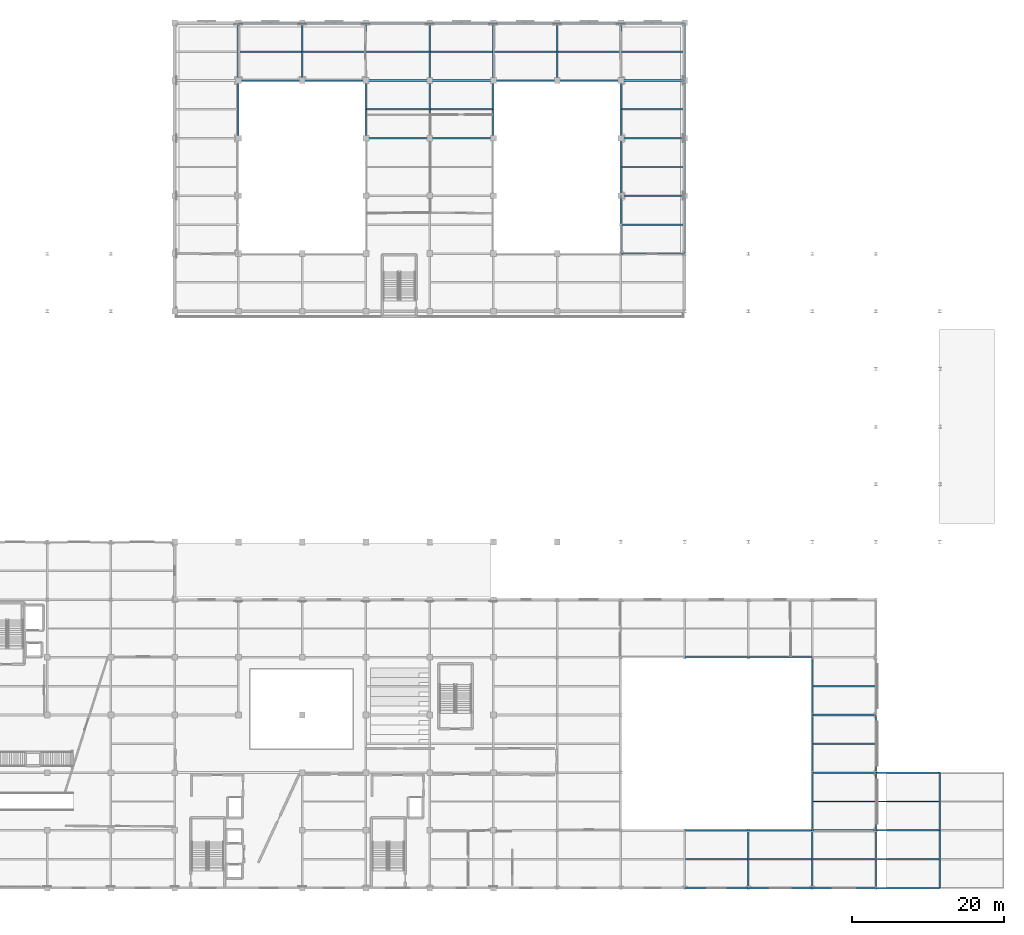
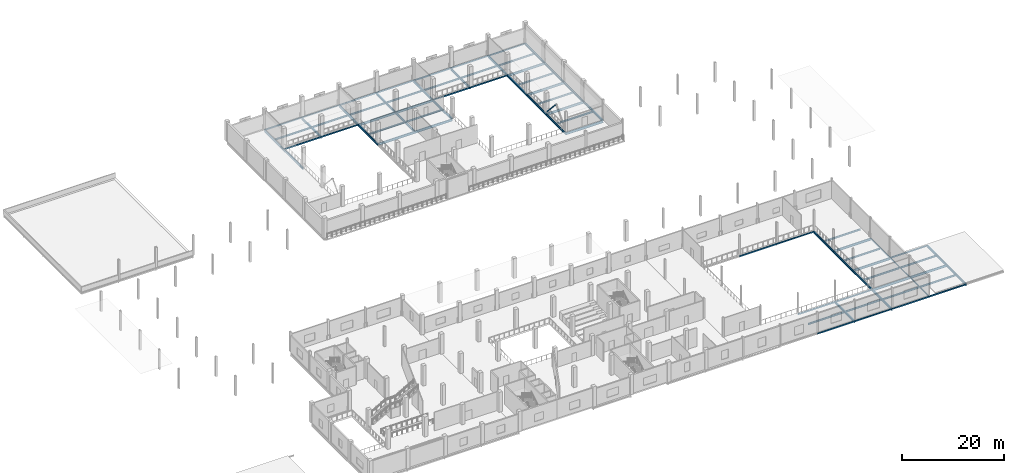
# One storey, part 19 of 51: 80 beams, 1 member.
"""IFC4 building model written with IfcOpenShell, lengths in metres."""

from ifc_helpers import new_model, si_unit, direction, frame, origin, origin_2d, place, context, subcontext, project, spatial, hollow_rectangle, i_section, extrude, material, material_profile, profile_set, type_object, element, save


model = new_model("IFC4")

# Units and contexts
model_context = context("Model", 3, precision=1e-05, world=origin(), true_north=direction((0.0, 1.0)))
body_context = subcontext(model_context, "Body", "Model", "MODEL_VIEW")
ifc_project = project(units=[si_unit("LENGTHUNIT", "METRE"), si_unit("AREAUNIT", "SQUARE_METRE"), si_unit("VOLUMEUNIT", "CUBIC_METRE"), si_unit("PLANEANGLEUNIT", "RADIAN"), si_unit("MASSUNIT", "GRAM", prefix="KILO")], contexts=[model_context])

# Site, building, storey
site_placement = place(None, origin())
site = spatial("IfcSite", under=ifc_project, at=site_placement, CompositionType="ELEMENT")
building_placement = place(site_placement, origin())
building = spatial("IfcBuilding", under=site, at=building_placement, Name="Zuvorla Pavilion Media Centre", CompositionType="ELEMENT")
storey_placement = place(building_placement, frame((0.0, 0.0, 4.800048828125)))
storey = spatial("IfcBuildingStorey", under=building, at=storey_placement, Name="L01", CompositionType="ELEMENT", Elevation=4.800048828125)

# Beams
ifc_material = material(Name="Steel S355", Category="steel")
ifc_material_profile_1 = material_profile(ifc_material, hollow_rectangle(XDim=0.14990234375, YDim=0.25, WallThickness=0.010009765625, at=origin_2d()), Name="RHS 250x150x10")
ifc_profile_set_1 = profile_set([ifc_material_profile_1], Name="Steel S355")
beam_type_1 = type_object("IfcBeamType", Name="BM-SP-RHS250", PredefinedType="SPANDREL", material=ifc_profile_set_1)
beam_1_placement = place(storey_placement, frame((159.199951171875, 6.0, -0.4130859375), z_axis=(0.0, 1.0, 0.0), x_axis=(-1.0, 0.0, 0.0)))
element("IfcBeam", 1, at=beam_1_placement, inside=storey, type_object=beam_type_1, Name="L01 spandrel SP02 692", PredefinedType="SPANDREL", context=body_context, shape_type="SweptSolid", body=[
    extrude(hollow_rectangle(XDim=0.14990234375, YDim=0.25, WallThickness=0.010009765625, at=origin_2d()), origin(), (0.0, 0.0, 1.0), 7.60009765625),
])
beam_2_placement = place(storey_placement, frame((159.199951171875, 13.60009765625, -0.4130859375), z_axis=(0.0, 1.0, 0.0), x_axis=(-1.0, 0.0, 0.0)))
element("IfcBeam", 2, at=beam_2_placement, inside=storey, type_object=beam_type_1, Name="L01 spandrel SP02 693", PredefinedType="SPANDREL", context=body_context, shape_type="SweptSolid", body=[
    extrude(hollow_rectangle(XDim=0.14990234375, YDim=0.25, WallThickness=0.010009765625, at=origin_2d()), origin(), (0.0, 0.0, 1.0), 7.599853515625),
])
beam_3_placement = place(storey_placement, frame((159.199951171875, 21.199951171875, -0.4130859375), z_axis=(0.0, 1.0, 0.0), x_axis=(-1.0, 0.0, 0.0)))
element("IfcBeam", 3, at=beam_3_placement, inside=storey, type_object=beam_type_1, Name="L01 spandrel SP02 694", PredefinedType="SPANDREL", context=body_context, shape_type="SweptSolid", body=[
    extrude(hollow_rectangle(XDim=0.14990234375, YDim=0.25, WallThickness=0.010009765625, at=origin_2d()), origin(), (0.0, 0.0, 1.0), 7.60009765625),
])
ifc_material_profile_2 = material_profile(ifc_material, hollow_rectangle(XDim=0.199951171875, YDim=0.300048828125, WallThickness=0.012451171875, at=origin_2d()), Name="RHS 300x200x12.5")
ifc_profile_set_2 = profile_set([ifc_material_profile_2], Name="Steel S355")
beam_type_2 = type_object("IfcBeamType", Name="BM-SP-RHS300", PredefinedType="SPANDREL", material=ifc_profile_set_2)
beam_4_placement = place(storey_placement, frame((134.0, 6.0, -0.43798828125), z_axis=(1.0, 0.0, 0.0), x_axis=(0.0, 1.0, 0.0)))
element("IfcBeam", 4, at=beam_4_placement, inside=storey, type_object=beam_type_2, Name="L01 spandrel SP01 442", PredefinedType="SPANDREL", context=body_context, shape_type="SweptSolid", body=[
    extrude(hollow_rectangle(XDim=0.199951171875, YDim=0.300048828125, WallThickness=0.012451171875, at=origin_2d()), origin(), (0.0, 0.0, 1.0), 8.39990234375),
])
beam_5_placement = place(storey_placement, frame((142.39990234375, 6.0, -0.43798828125), z_axis=(1.0, 0.0, 0.0), x_axis=(0.0, 1.0, 0.0)))
element("IfcBeam", 5, at=beam_5_placement, inside=storey, type_object=beam_type_2, Name="L01 spandrel SP01 443", PredefinedType="SPANDREL", context=body_context, shape_type="SweptSolid", body=[
    extrude(hollow_rectangle(XDim=0.199951171875, YDim=0.300048828125, WallThickness=0.012451171875, at=origin_2d()), origin(), (0.0, 0.0, 1.0), 8.400146484375),
])
beam_6_placement = place(storey_placement, frame((150.800048828125, 6.0, -0.43798828125), z_axis=(1.0, 0.0, 0.0), x_axis=(0.0, 1.0, 0.0)))
element("IfcBeam", 6, at=beam_6_placement, inside=storey, type_object=beam_type_2, Name="L01 spandrel SP01 444", PredefinedType="SPANDREL", context=body_context, shape_type="SweptSolid", body=[
    extrude(hollow_rectangle(XDim=0.199951171875, YDim=0.300048828125, WallThickness=0.012451171875, at=origin_2d()), origin(), (0.0, 0.0, 1.0), 8.39990234375),
])
beam_7_placement = place(storey_placement, frame((159.199951171875, 6.0, -0.43798828125), z_axis=(1.0, 0.0, 0.0), x_axis=(0.0, 1.0, 0.0)))
element("IfcBeam", 7, at=beam_7_placement, inside=storey, type_object=beam_type_2, Name="L01 spandrel SP01 445", PredefinedType="SPANDREL", context=body_context, shape_type="SweptSolid", body=[
    extrude(hollow_rectangle(XDim=0.199951171875, YDim=0.300048828125, WallThickness=0.012451171875, at=origin_2d()), origin(), (0.0, 0.0, 1.0), 8.400146484375),
])
beam_8_placement = place(storey_placement, frame((134.0, 13.60009765625, -0.43798828125), z_axis=(1.0, 0.0, 0.0), x_axis=(0.0, 1.0, 0.0)))
element("IfcBeam", 8, at=beam_8_placement, inside=storey, type_object=beam_type_2, Name="L01 spandrel SP01 458", PredefinedType="SPANDREL", context=body_context, shape_type="SweptSolid", body=[
    extrude(hollow_rectangle(XDim=0.199951171875, YDim=0.300048828125, WallThickness=0.012451171875, at=origin_2d()), origin(), (0.0, 0.0, 1.0), 8.39990234375),
])
for number, where, z_axis, x_axis, name in (
    (9, (142.39990234375, 13.60009765625, -0.43798828125), (1.0, 0.0, 0.0), (0.0, 1.0, 0.0), "L01 spandrel SP01 459"),
    (10, (159.199951171875, 21.199951171875, -0.43798828125), (1.0, 0.0, 0.0), (0.0, 1.0, 0.0), "L01 spandrel SP01 475"),
):
    element("IfcBeam", number, at=place(storey_placement, frame(where, z_axis=z_axis, x_axis=x_axis)), inside=storey, type_object=beam_type_2, Name=name, PredefinedType="SPANDREL", context=body_context, shape_type="SweptSolid", body=[
        extrude(hollow_rectangle(XDim=0.199951171875, YDim=0.300048828125, WallThickness=0.012451171875, at=origin_2d()), origin(), (0.0, 0.0, 1.0), 8.400146484375),
    ])
beam_9_placement = place(storey_placement, frame((134.0, 36.39990234375, -0.43798828125), z_axis=(1.0, 0.0, 0.0), x_axis=(0.0, 1.0, 0.0)))
element("IfcBeam", 11, at=beam_9_placement, inside=storey, type_object=beam_type_2, Name="L01 spandrel SP01 496", PredefinedType="SPANDREL", context=body_context, shape_type="SweptSolid", body=[
    extrude(hollow_rectangle(XDim=0.199951171875, YDim=0.300048828125, WallThickness=0.012451171875, at=origin_2d()), origin(), (0.0, 0.0, 1.0), 8.39990234375),
])
for number, where, z_axis, x_axis, name in (
    (12, (142.39990234375, 36.39990234375, -0.43798828125), (1.0, 0.0, 0.0), (0.0, 1.0, 0.0), "L01 spandrel SP01 497"),
    (13, (75.199951171875, 112.39990234375, -0.43798828125), (1.0, 0.0, 0.0), (0.0, 1.0, 0.0), "L01 spandrel SP01 551"),
):
    element("IfcBeam", number, at=place(storey_placement, frame(where, z_axis=z_axis, x_axis=x_axis)), inside=storey, type_object=beam_type_2, Name=name, PredefinedType="SPANDREL", context=body_context, shape_type="SweptSolid", body=[
        extrude(hollow_rectangle(XDim=0.199951171875, YDim=0.300048828125, WallThickness=0.012451171875, at=origin_2d()), origin(), (0.0, 0.0, 1.0), 8.400146484375),
    ])
for number, where, z_axis, x_axis, name in (
    (14, (83.60009765625, 112.39990234375, -0.43798828125), (1.0, 0.0, 0.0), (0.0, 1.0, 0.0), "L01 spandrel SP01 552"),
    (15, (108.800048828125, 112.39990234375, -0.43798828125), (1.0, 0.0, 0.0), (0.0, 1.0, 0.0), "L01 spandrel SP01 555"),
):
    element("IfcBeam", number, at=place(storey_placement, frame(where, z_axis=z_axis, x_axis=x_axis)), inside=storey, type_object=beam_type_2, Name=name, PredefinedType="SPANDREL", context=body_context, shape_type="SweptSolid", body=[
        extrude(hollow_rectangle(XDim=0.199951171875, YDim=0.300048828125, WallThickness=0.012451171875, at=origin_2d()), origin(), (0.0, 0.0, 1.0), 8.39990234375),
    ])
for number, where, z_axis, x_axis, name in (
    (16, (117.199951171875, 112.39990234375, -0.43798828125), (1.0, 0.0, 0.0), (0.0, 1.0, 0.0), "L01 spandrel SP01 556"),
    (17, (75.199951171875, 120.0, -0.43798828125), (1.0, 0.0, 0.0), (0.0, 1.0, 0.0), "L01 spandrel SP01 562"),
):
    element("IfcBeam", number, at=place(storey_placement, frame(where, z_axis=z_axis, x_axis=x_axis)), inside=storey, type_object=beam_type_2, Name=name, PredefinedType="SPANDREL", context=body_context, shape_type="SweptSolid", body=[
        extrude(hollow_rectangle(XDim=0.199951171875, YDim=0.300048828125, WallThickness=0.012451171875, at=origin_2d()), origin(), (0.0, 0.0, 1.0), 8.400146484375),
    ])
for number, where, z_axis, x_axis, name in (
    (18, (83.60009765625, 120.0, -0.43798828125), (1.0, 0.0, 0.0), (0.0, 1.0, 0.0), "L01 spandrel SP01 563"),
    (19, (92.0, 120.0, -0.43798828125), (1.0, 0.0, 0.0), (0.0, 1.0, 0.0), "L01 spandrel SP01 564"),
):
    element("IfcBeam", number, at=place(storey_placement, frame(where, z_axis=z_axis, x_axis=x_axis)), inside=storey, type_object=beam_type_2, Name=name, PredefinedType="SPANDREL", context=body_context, shape_type="SweptSolid", body=[
        extrude(hollow_rectangle(XDim=0.199951171875, YDim=0.300048828125, WallThickness=0.012451171875, at=origin_2d()), origin(), (0.0, 0.0, 1.0), 8.39990234375),
    ])
beam_10_placement = place(storey_placement, frame((100.39990234375, 120.0, -0.43798828125), z_axis=(1.0, 0.0, 0.0), x_axis=(0.0, 1.0, 0.0)))
element("IfcBeam", 20, at=beam_10_placement, inside=storey, type_object=beam_type_2, Name="L01 spandrel SP01 565", PredefinedType="SPANDREL", context=body_context, shape_type="SweptSolid", body=[
    extrude(hollow_rectangle(XDim=0.199951171875, YDim=0.300048828125, WallThickness=0.012451171875, at=origin_2d()), origin(), (0.0, 0.0, 1.0), 8.400146484375),
])
beam_11_placement = place(storey_placement, frame((108.800048828125, 120.0, -0.43798828125), z_axis=(1.0, 0.0, 0.0), x_axis=(0.0, 1.0, 0.0)))
element("IfcBeam", 21, at=beam_11_placement, inside=storey, type_object=beam_type_2, Name="L01 spandrel SP01 566", PredefinedType="SPANDREL", context=body_context, shape_type="SweptSolid", body=[
    extrude(hollow_rectangle(XDim=0.199951171875, YDim=0.300048828125, WallThickness=0.012451171875, at=origin_2d()), origin(), (0.0, 0.0, 1.0), 8.39990234375),
])
beam_12_placement = place(storey_placement, frame((117.199951171875, 120.0, -0.43798828125), z_axis=(1.0, 0.0, 0.0), x_axis=(0.0, 1.0, 0.0)))
element("IfcBeam", 22, at=beam_12_placement, inside=storey, type_object=beam_type_2, Name="L01 spandrel SP01 567", PredefinedType="SPANDREL", context=body_context, shape_type="SweptSolid", body=[
    extrude(hollow_rectangle(XDim=0.199951171875, YDim=0.300048828125, WallThickness=0.012451171875, at=origin_2d()), origin(), (0.0, 0.0, 1.0), 8.400146484375),
])
beam_13_placement = place(storey_placement, frame((125.60009765625, 120.0, -0.43798828125), z_axis=(1.0, 0.0, 0.0), x_axis=(0.0, 1.0, 0.0)))
element("IfcBeam", 23, at=beam_13_placement, inside=storey, type_object=beam_type_2, Name="L01 spandrel SP01 568", PredefinedType="SPANDREL", context=body_context, shape_type="SweptSolid", body=[
    extrude(hollow_rectangle(XDim=0.199951171875, YDim=0.300048828125, WallThickness=0.012451171875, at=origin_2d()), origin(), (0.0, 0.0, 1.0), 8.39990234375),
])
ifc_material_profile_3 = material_profile(ifc_material, i_section(OverallWidth=0.1787109375, OverallDepth=0.409423828125, WebThickness=0.0087890625, FlangeThickness=0.014404296875, FilletRadius=0.01025390625, at=origin_2d()), Name="UB 406x178x67")
ifc_profile_set_3 = profile_set([ifc_material_profile_3], Name="Steel S355")
beam_type_3 = type_object("IfcBeamType", Name="BM-UB406", PredefinedType="JOIST", material=ifc_profile_set_3)
for number, where, z_axis, x_axis, name in (
    (24, (75.300048828125, 116.199951171875, -0.49267578125), (1.0, 0.0, 0.0), (0.0, 1.0, 0.0), "L01 joist J02 734"),
    (25, (83.699951171875, 116.199951171875, -0.49267578125), (1.0, 0.0, 0.0), (0.0, 1.0, 0.0), "L01 joist J02 739"),
    (26, (92.10009765625, 108.60009765625, -0.49267578125), (1.0, 0.0, 0.0), (0.0, 1.0, 0.0), "L01 joist J02 745"),
    (27, (92.10009765625, 116.199951171875, -0.49267578125), (1.0, 0.0, 0.0), (0.0, 1.0, 0.0), "L01 joist J02 746"),
    (28, (100.5, 108.60009765625, -0.49267578125), (1.0, 0.0, 0.0), (0.0, 1.0, 0.0), "L01 joist J02 754"),
    (29, (100.5, 116.199951171875, -0.49267578125), (1.0, 0.0, 0.0), (0.0, 1.0, 0.0), "L01 joist J02 755"),
):
    element("IfcBeam", number, at=place(storey_placement, frame(where, z_axis=z_axis, x_axis=x_axis)), inside=storey, type_object=beam_type_3, Name=name, PredefinedType="JOIST", context=body_context, shape_type="SweptSolid", body=[
        extrude(i_section(OverallWidth=0.1787109375, OverallDepth=0.409423828125, WebThickness=0.0087890625, FlangeThickness=0.014404296875, FilletRadius=0.01025390625, at=origin_2d()), origin(), (0.0, 0.0, 1.0), 8.199951171875),
    ])
beam_14_placement = place(storey_placement, frame((108.89990234375, 116.199951171875, -0.49267578125), z_axis=(1.0, 0.0, 0.0), x_axis=(0.0, 1.0, 0.0)))
element("IfcBeam", 30, at=beam_14_placement, inside=storey, type_object=beam_type_3, Name="L01 joist J02 762", PredefinedType="JOIST", context=body_context, shape_type="SweptSolid", body=[
    extrude(i_section(OverallWidth=0.1787109375, OverallDepth=0.409423828125, WebThickness=0.0087890625, FlangeThickness=0.014404296875, FilletRadius=0.01025390625, at=origin_2d()), origin(), (0.0, 0.0, 1.0), 8.2001953125),
])
for number, where, z_axis, x_axis, name in (
    (31, (117.300048828125, 116.199951171875, -0.49267578125), (1.0, 0.0, 0.0), (0.0, 1.0, 0.0), "L01 joist J02 769"),
    (32, (125.699951171875, 93.39990234375, -0.49267578125), (1.0, 0.0, 0.0), (0.0, 1.0, 0.0), "L01 joist J02 773"),
    (33, (125.699951171875, 101.0, -0.49267578125), (1.0, 0.0, 0.0), (0.0, 1.0, 0.0), "L01 joist J02 774"),
    (34, (125.699951171875, 108.60009765625, -0.49267578125), (1.0, 0.0, 0.0), (0.0, 1.0, 0.0), "L01 joist J02 775"),
    (35, (125.699951171875, 116.199951171875, -0.49267578125), (1.0, 0.0, 0.0), (0.0, 1.0, 0.0), "L01 joist J02 776"),
    (36, (134.10009765625, 9.800048828125, -0.49267578125), (1.0, 0.0, 0.0), (0.0, 1.0, 0.0), "L01 joist J02 777"),
    (37, (142.5, 9.800048828125, -0.49267578125), (1.0, 0.0, 0.0), (0.0, 1.0, 0.0), "L01 joist J02 779"),
):
    element("IfcBeam", number, at=place(storey_placement, frame(where, z_axis=z_axis, x_axis=x_axis)), inside=storey, type_object=beam_type_3, Name=name, PredefinedType="JOIST", context=body_context, shape_type="SweptSolid", body=[
        extrude(i_section(OverallWidth=0.1787109375, OverallDepth=0.409423828125, WebThickness=0.0087890625, FlangeThickness=0.014404296875, FilletRadius=0.01025390625, at=origin_2d()), origin(), (0.0, 0.0, 1.0), 8.199951171875),
    ])
for number, where, z_axis, x_axis, name in (
    (38, (150.89990234375, 9.800048828125, -0.49267578125), (1.0, 0.0, 0.0), (0.0, 1.0, 0.0), "L01 joist J02 781"),
    (39, (150.89990234375, 17.39990234375, -0.49267578125), (1.0, 0.0, 0.0), (0.0, 1.0, 0.0), "L01 joist J02 782"),
    (40, (150.89990234375, 25.0, -0.49267578125), (1.0, 0.0, 0.0), (0.0, 1.0, 0.0), "L01 joist J02 783"),
    (41, (150.89990234375, 32.60009765625, -0.49267578125), (1.0, 0.0, 0.0), (0.0, 1.0, 0.0), "L01 joist J02 784"),
):
    element("IfcBeam", number, at=place(storey_placement, frame(where, z_axis=z_axis, x_axis=x_axis)), inside=storey, type_object=beam_type_3, Name=name, PredefinedType="JOIST", context=body_context, shape_type="SweptSolid", body=[
        extrude(i_section(OverallWidth=0.1787109375, OverallDepth=0.409423828125, WebThickness=0.0087890625, FlangeThickness=0.014404296875, FilletRadius=0.01025390625, at=origin_2d()), origin(), (0.0, 0.0, 1.0), 8.22021484375),
    ])
for number, where, z_axis, x_axis, name in (
    (42, (159.280029296875, 9.800048828125, -0.49267578125), (1.0, 0.0, 0.0), (0.0, 1.0, 0.0), "L01 joist J02 786"),
    (43, (159.280029296875, 17.39990234375, -0.49267578125), (1.0, 0.0, 0.0), (0.0, 1.0, 0.0), "L01 joist J02 787"),
):
    element("IfcBeam", number, at=place(storey_placement, frame(where, z_axis=z_axis, x_axis=x_axis)), inside=storey, type_object=beam_type_3, Name=name, PredefinedType="JOIST", context=body_context, shape_type="SweptSolid", body=[
        extrude(i_section(OverallWidth=0.1787109375, OverallDepth=0.409423828125, WebThickness=0.0087890625, FlangeThickness=0.014404296875, FilletRadius=0.01025390625, at=origin_2d()), origin(), (0.0, 0.0, 1.0), 8.219970703125),
    ])
ifc_material_profile_4 = material_profile(ifc_material, i_section(OverallWidth=0.2099609375, OverallDepth=0.53662109375, WebThickness=0.0107421875, FlangeThickness=0.017333984375, FilletRadius=0.0126953125, at=origin_2d()), Name="UB 533x210x101")
ifc_profile_set_4 = profile_set([ifc_material_profile_4], Name="Steel S355")
beam_type_4 = type_object("IfcBeamType", Name="BM-UB533", PredefinedType="BEAM", material=ifc_profile_set_4)
beam_15_placement = place(storey_placement, frame((150.800048828125, 13.60009765625, -0.556396484375), z_axis=(1.0, 0.0, 0.0), x_axis=(0.0, 1.0, 0.0)))
element("IfcBeam", 44, at=beam_15_placement, inside=storey, type_object=beam_type_4, Name="L01 beam B08 460", PredefinedType="BEAM", context=body_context, shape_type="SweptSolid", body=[
    extrude(i_section(OverallWidth=0.2099609375, OverallDepth=0.53662109375, WebThickness=0.0107421875, FlangeThickness=0.017333984375, FilletRadius=0.0126953125, at=origin_2d()), origin(), (0.0, 0.0, 1.0), 8.39990234375),
])
beam_16_placement = place(storey_placement, frame((159.199951171875, 13.60009765625, -0.556396484375), z_axis=(1.0, 0.0, 0.0), x_axis=(0.0, 1.0, 0.0)))
element("IfcBeam", 45, at=beam_16_placement, inside=storey, type_object=beam_type_4, Name="L01 beam B08 461", PredefinedType="BEAM", context=body_context, shape_type="SweptSolid", body=[
    extrude(i_section(OverallWidth=0.2099609375, OverallDepth=0.53662109375, WebThickness=0.0107421875, FlangeThickness=0.017333984375, FilletRadius=0.0126953125, at=origin_2d()), origin(), (0.0, 0.0, 1.0), 8.400146484375),
])
for number, where, z_axis, x_axis, name in (
    (46, (150.800048828125, 21.199951171875, -0.556396484375), (1.0, 0.0, 0.0), (0.0, 1.0, 0.0), "L01 beam B08 474"),
    (47, (150.800048828125, 28.800048828125, -0.556396484375), (1.0, 0.0, 0.0), (0.0, 1.0, 0.0), "L01 beam B08 485"),
    (48, (125.60009765625, 89.60009765625, -0.556396484375), (1.0, 0.0, 0.0), (0.0, 1.0, 0.0), "L01 beam B08 532"),
    (49, (125.60009765625, 97.199951171875, -0.556396484375), (1.0, 0.0, 0.0), (0.0, 1.0, 0.0), "L01 beam B08 539"),
    (50, (92.0, 104.800048828125, -0.556396484375), (1.0, 0.0, 0.0), (0.0, 1.0, 0.0), "L01 beam B08 544"),
):
    element("IfcBeam", number, at=place(storey_placement, frame(where, z_axis=z_axis, x_axis=x_axis)), inside=storey, type_object=beam_type_4, Name=name, PredefinedType="BEAM", context=body_context, shape_type="SweptSolid", body=[
        extrude(i_section(OverallWidth=0.2099609375, OverallDepth=0.53662109375, WebThickness=0.0107421875, FlangeThickness=0.017333984375, FilletRadius=0.0126953125, at=origin_2d()), origin(), (0.0, 0.0, 1.0), 8.39990234375),
    ])
beam_17_placement = place(storey_placement, frame((100.39990234375, 104.800048828125, -0.556396484375), z_axis=(1.0, 0.0, 0.0), x_axis=(0.0, 1.0, 0.0)))
element("IfcBeam", 51, at=beam_17_placement, inside=storey, type_object=beam_type_4, Name="L01 beam B08 545", PredefinedType="BEAM", context=body_context, shape_type="SweptSolid", body=[
    extrude(i_section(OverallWidth=0.2099609375, OverallDepth=0.53662109375, WebThickness=0.0107421875, FlangeThickness=0.017333984375, FilletRadius=0.0126953125, at=origin_2d()), origin(), (0.0, 0.0, 1.0), 8.400146484375),
])
for number, where, z_axis, x_axis, name in (
    (52, (125.60009765625, 104.800048828125, -0.556396484375), (1.0, 0.0, 0.0), (0.0, 1.0, 0.0), "L01 beam B08 546"),
    (53, (92.0, 112.39990234375, -0.556396484375), (1.0, 0.0, 0.0), (0.0, 1.0, 0.0), "L01 beam B08 553"),
):
    element("IfcBeam", number, at=place(storey_placement, frame(where, z_axis=z_axis, x_axis=x_axis)), inside=storey, type_object=beam_type_4, Name=name, PredefinedType="BEAM", context=body_context, shape_type="SweptSolid", body=[
        extrude(i_section(OverallWidth=0.2099609375, OverallDepth=0.53662109375, WebThickness=0.0107421875, FlangeThickness=0.017333984375, FilletRadius=0.0126953125, at=origin_2d()), origin(), (0.0, 0.0, 1.0), 8.39990234375),
    ])
beam_18_placement = place(storey_placement, frame((100.39990234375, 112.39990234375, -0.556396484375), z_axis=(1.0, 0.0, 0.0), x_axis=(0.0, 1.0, 0.0)))
element("IfcBeam", 54, at=beam_18_placement, inside=storey, type_object=beam_type_4, Name="L01 beam B08 554", PredefinedType="BEAM", context=body_context, shape_type="SweptSolid", body=[
    extrude(i_section(OverallWidth=0.2099609375, OverallDepth=0.53662109375, WebThickness=0.0107421875, FlangeThickness=0.017333984375, FilletRadius=0.0126953125, at=origin_2d()), origin(), (0.0, 0.0, 1.0), 8.400146484375),
])
beam_19_placement = place(storey_placement, frame((125.60009765625, 112.39990234375, -0.556396484375), z_axis=(1.0, 0.0, 0.0), x_axis=(0.0, 1.0, 0.0)))
element("IfcBeam", 55, at=beam_19_placement, inside=storey, type_object=beam_type_4, Name="L01 beam B08 557", PredefinedType="BEAM", context=body_context, shape_type="SweptSolid", body=[
    extrude(i_section(OverallWidth=0.2099609375, OverallDepth=0.53662109375, WebThickness=0.0107421875, FlangeThickness=0.017333984375, FilletRadius=0.0126953125, at=origin_2d()), origin(), (0.0, 0.0, 1.0), 8.39990234375),
])
beam_20_placement = place(storey_placement, frame((75.199951171875, 104.800048828125, -0.556396484375), z_axis=(0.0, 1.0, 0.0), x_axis=(-1.0, 0.0, 0.0)))
element("IfcBeam", 56, at=beam_20_placement, inside=storey, type_object=beam_type_4, Name="L01 beam B08 624", PredefinedType="BEAM", context=body_context, shape_type="SweptSolid", body=[
    extrude(i_section(OverallWidth=0.2099609375, OverallDepth=0.53662109375, WebThickness=0.0107421875, FlangeThickness=0.017333984375, FilletRadius=0.0126953125, at=origin_2d()), origin(), (0.0, 0.0, 1.0), 7.599853515625),
])
for number, where, z_axis, x_axis, name in (
    (57, (75.199951171875, 112.39990234375, -0.556396484375), (0.0, 1.0, 0.0), (-1.0, 0.0, 0.0), "L01 beam B08 625"),
    (58, (83.60009765625, 112.39990234375, -0.556396484375), (0.0, 1.0, 0.0), (-1.0, 0.0, 0.0), "L01 beam B08 630"),
):
    element("IfcBeam", number, at=place(storey_placement, frame(where, z_axis=z_axis, x_axis=x_axis)), inside=storey, type_object=beam_type_4, Name=name, PredefinedType="BEAM", context=body_context, shape_type="SweptSolid", body=[
        extrude(i_section(OverallWidth=0.2099609375, OverallDepth=0.53662109375, WebThickness=0.0107421875, FlangeThickness=0.017333984375, FilletRadius=0.0126953125, at=origin_2d()), origin(), (0.0, 0.0, 1.0), 7.60009765625),
    ])
beam_21_placement = place(storey_placement, frame((92.0, 104.800048828125, -0.556396484375), z_axis=(0.0, 1.0, 0.0), x_axis=(-1.0, 0.0, 0.0)))
element("IfcBeam", 59, at=beam_21_placement, inside=storey, type_object=beam_type_4, Name="L01 beam B08 639", PredefinedType="BEAM", context=body_context, shape_type="SweptSolid", body=[
    extrude(i_section(OverallWidth=0.2099609375, OverallDepth=0.53662109375, WebThickness=0.0107421875, FlangeThickness=0.017333984375, FilletRadius=0.0126953125, at=origin_2d()), origin(), (0.0, 0.0, 1.0), 7.599853515625),
])
beam_22_placement = place(storey_placement, frame((92.0, 112.39990234375, -0.556396484375), z_axis=(0.0, 1.0, 0.0), x_axis=(-1.0, 0.0, 0.0)))
element("IfcBeam", 60, at=beam_22_placement, inside=storey, type_object=beam_type_4, Name="L01 beam B08 640", PredefinedType="BEAM", context=body_context, shape_type="SweptSolid", body=[
    extrude(i_section(OverallWidth=0.2099609375, OverallDepth=0.53662109375, WebThickness=0.0107421875, FlangeThickness=0.017333984375, FilletRadius=0.0126953125, at=origin_2d()), origin(), (0.0, 0.0, 1.0), 7.60009765625),
])
beam_23_placement = place(storey_placement, frame((100.39990234375, 104.800048828125, -0.556396484375), z_axis=(0.0, 1.0, 0.0), x_axis=(-1.0, 0.0, 0.0)))
element("IfcBeam", 61, at=beam_23_placement, inside=storey, type_object=beam_type_4, Name="L01 beam B08 649", PredefinedType="BEAM", context=body_context, shape_type="SweptSolid", body=[
    extrude(i_section(OverallWidth=0.2099609375, OverallDepth=0.53662109375, WebThickness=0.0107421875, FlangeThickness=0.017333984375, FilletRadius=0.0126953125, at=origin_2d()), origin(), (0.0, 0.0, 1.0), 7.599853515625),
])
beam_24_placement = place(storey_placement, frame((100.39990234375, 112.39990234375, -0.556396484375), z_axis=(0.0, 1.0, 0.0), x_axis=(-1.0, 0.0, 0.0)))
element("IfcBeam", 62, at=beam_24_placement, inside=storey, type_object=beam_type_4, Name="L01 beam B08 650", PredefinedType="BEAM", context=body_context, shape_type="SweptSolid", body=[
    extrude(i_section(OverallWidth=0.2099609375, OverallDepth=0.53662109375, WebThickness=0.0107421875, FlangeThickness=0.017333984375, FilletRadius=0.0126953125, at=origin_2d()), origin(), (0.0, 0.0, 1.0), 7.60009765625),
])
beam_25_placement = place(storey_placement, frame((108.800048828125, 104.800048828125, -0.556396484375), z_axis=(0.0, 1.0, 0.0), x_axis=(-1.0, 0.0, 0.0)))
element("IfcBeam", 63, at=beam_25_placement, inside=storey, type_object=beam_type_4, Name="L01 beam B08 659", PredefinedType="BEAM", context=body_context, shape_type="SweptSolid", body=[
    extrude(i_section(OverallWidth=0.2099609375, OverallDepth=0.53662109375, WebThickness=0.0107421875, FlangeThickness=0.017333984375, FilletRadius=0.0126953125, at=origin_2d()), origin(), (0.0, 0.0, 1.0), 7.599853515625),
])
for number, where, z_axis, x_axis, name in (
    (64, (108.800048828125, 112.39990234375, -0.556396484375), (0.0, 1.0, 0.0), (-1.0, 0.0, 0.0), "L01 beam B08 660"),
    (65, (117.199951171875, 112.39990234375, -0.556396484375), (0.0, 1.0, 0.0), (-1.0, 0.0, 0.0), "L01 beam B08 667"),
):
    element("IfcBeam", number, at=place(storey_placement, frame(where, z_axis=z_axis, x_axis=x_axis)), inside=storey, type_object=beam_type_4, Name=name, PredefinedType="BEAM", context=body_context, shape_type="SweptSolid", body=[
        extrude(i_section(OverallWidth=0.2099609375, OverallDepth=0.53662109375, WebThickness=0.0107421875, FlangeThickness=0.017333984375, FilletRadius=0.0126953125, at=origin_2d()), origin(), (0.0, 0.0, 1.0), 7.60009765625),
    ])
beam_26_placement = place(storey_placement, frame((125.60009765625, 89.60009765625, -0.556396484375), z_axis=(0.0, 1.0, 0.0), x_axis=(-1.0, 0.0, 0.0)))
element("IfcBeam", 66, at=beam_26_placement, inside=storey, type_object=beam_type_4, Name="L01 beam B08 674", PredefinedType="BEAM", context=body_context, shape_type="SweptSolid", body=[
    extrude(i_section(OverallWidth=0.2099609375, OverallDepth=0.53662109375, WebThickness=0.0107421875, FlangeThickness=0.017333984375, FilletRadius=0.0126953125, at=origin_2d()), origin(), (0.0, 0.0, 1.0), 7.599853515625),
])
beam_27_placement = place(storey_placement, frame((125.60009765625, 97.199951171875, -0.556396484375), z_axis=(0.0, 1.0, 0.0), x_axis=(-1.0, 0.0, 0.0)))
element("IfcBeam", 67, at=beam_27_placement, inside=storey, type_object=beam_type_4, Name="L01 beam B08 675", PredefinedType="BEAM", context=body_context, shape_type="SweptSolid", body=[
    extrude(i_section(OverallWidth=0.2099609375, OverallDepth=0.53662109375, WebThickness=0.0107421875, FlangeThickness=0.017333984375, FilletRadius=0.0126953125, at=origin_2d()), origin(), (0.0, 0.0, 1.0), 7.60009765625),
])
beam_28_placement = place(storey_placement, frame((125.60009765625, 104.800048828125, -0.556396484375), z_axis=(0.0, 1.0, 0.0), x_axis=(-1.0, 0.0, 0.0)))
element("IfcBeam", 68, at=beam_28_placement, inside=storey, type_object=beam_type_4, Name="L01 beam B08 676", PredefinedType="BEAM", context=body_context, shape_type="SweptSolid", body=[
    extrude(i_section(OverallWidth=0.2099609375, OverallDepth=0.53662109375, WebThickness=0.0107421875, FlangeThickness=0.017333984375, FilletRadius=0.0126953125, at=origin_2d()), origin(), (0.0, 0.0, 1.0), 7.599853515625),
])
beam_29_placement = place(storey_placement, frame((125.60009765625, 112.39990234375, -0.556396484375), z_axis=(0.0, 1.0, 0.0), x_axis=(-1.0, 0.0, 0.0)))
element("IfcBeam", 69, at=beam_29_placement, inside=storey, type_object=beam_type_4, Name="L01 beam B08 677", PredefinedType="BEAM", context=body_context, shape_type="SweptSolid", body=[
    extrude(i_section(OverallWidth=0.2099609375, OverallDepth=0.53662109375, WebThickness=0.0107421875, FlangeThickness=0.017333984375, FilletRadius=0.0126953125, at=origin_2d()), origin(), (0.0, 0.0, 1.0), 7.60009765625),
])
beam_30_placement = place(storey_placement, frame((134.0, 89.60009765625, -0.556396484375), z_axis=(0.0, 1.0, 0.0), x_axis=(-1.0, 0.0, 0.0)))
element("IfcBeam", 70, at=beam_30_placement, inside=storey, type_object=beam_type_4, Name="L01 beam B08 681", PredefinedType="BEAM", context=body_context, shape_type="SweptSolid", body=[
    extrude(i_section(OverallWidth=0.2099609375, OverallDepth=0.53662109375, WebThickness=0.0107421875, FlangeThickness=0.017333984375, FilletRadius=0.0126953125, at=origin_2d()), origin(), (0.0, 0.0, 1.0), 7.599853515625),
])
beam_31_placement = place(storey_placement, frame((134.0, 97.199951171875, -0.556396484375), z_axis=(0.0, 1.0, 0.0), x_axis=(-1.0, 0.0, 0.0)))
element("IfcBeam", 71, at=beam_31_placement, inside=storey, type_object=beam_type_4, Name="L01 beam B08 682", PredefinedType="BEAM", context=body_context, shape_type="SweptSolid", body=[
    extrude(i_section(OverallWidth=0.2099609375, OverallDepth=0.53662109375, WebThickness=0.0107421875, FlangeThickness=0.017333984375, FilletRadius=0.0126953125, at=origin_2d()), origin(), (0.0, 0.0, 1.0), 7.60009765625),
])
beam_32_placement = place(storey_placement, frame((134.0, 104.800048828125, -0.556396484375), z_axis=(0.0, 1.0, 0.0), x_axis=(-1.0, 0.0, 0.0)))
element("IfcBeam", 72, at=beam_32_placement, inside=storey, type_object=beam_type_4, Name="L01 beam B08 683", PredefinedType="BEAM", context=body_context, shape_type="SweptSolid", body=[
    extrude(i_section(OverallWidth=0.2099609375, OverallDepth=0.53662109375, WebThickness=0.0107421875, FlangeThickness=0.017333984375, FilletRadius=0.0126953125, at=origin_2d()), origin(), (0.0, 0.0, 1.0), 7.599853515625),
])
for number, where, z_axis, x_axis, name in (
    (73, (134.0, 112.39990234375, -0.556396484375), (0.0, 1.0, 0.0), (-1.0, 0.0, 0.0), "L01 beam B08 684"),
    (74, (142.39990234375, 6.0, -0.556396484375), (0.0, 1.0, 0.0), (-1.0, 0.0, 0.0), "L01 beam B08 685"),
    (75, (150.800048828125, 6.0, -0.556396484375), (0.0, 1.0, 0.0), (-1.0, 0.0, 0.0), "L01 beam B08 687"),
):
    element("IfcBeam", number, at=place(storey_placement, frame(where, z_axis=z_axis, x_axis=x_axis)), inside=storey, type_object=beam_type_4, Name=name, PredefinedType="BEAM", context=body_context, shape_type="SweptSolid", body=[
        extrude(i_section(OverallWidth=0.2099609375, OverallDepth=0.53662109375, WebThickness=0.0107421875, FlangeThickness=0.017333984375, FilletRadius=0.0126953125, at=origin_2d()), origin(), (0.0, 0.0, 1.0), 7.60009765625),
    ])
beam_33_placement = place(storey_placement, frame((150.800048828125, 13.60009765625, -0.556396484375), z_axis=(0.0, 1.0, 0.0), x_axis=(-1.0, 0.0, 0.0)))
element("IfcBeam", 76, at=beam_33_placement, inside=storey, type_object=beam_type_4, Name="L01 beam B08 688", PredefinedType="BEAM", context=body_context, shape_type="SweptSolid", body=[
    extrude(i_section(OverallWidth=0.2099609375, OverallDepth=0.53662109375, WebThickness=0.0107421875, FlangeThickness=0.017333984375, FilletRadius=0.0126953125, at=origin_2d()), origin(), (0.0, 0.0, 1.0), 7.599853515625),
])
beam_34_placement = place(storey_placement, frame((150.800048828125, 21.199951171875, -0.556396484375), z_axis=(0.0, 1.0, 0.0), x_axis=(-1.0, 0.0, 0.0)))
element("IfcBeam", 77, at=beam_34_placement, inside=storey, type_object=beam_type_4, Name="L01 beam B08 689", PredefinedType="BEAM", context=body_context, shape_type="SweptSolid", body=[
    extrude(i_section(OverallWidth=0.2099609375, OverallDepth=0.53662109375, WebThickness=0.0107421875, FlangeThickness=0.017333984375, FilletRadius=0.0126953125, at=origin_2d()), origin(), (0.0, 0.0, 1.0), 7.60009765625),
])
beam_35_placement = place(storey_placement, frame((150.800048828125, 28.800048828125, -0.556396484375), z_axis=(0.0, 1.0, 0.0), x_axis=(-1.0, 0.0, 0.0)))
element("IfcBeam", 78, at=beam_35_placement, inside=storey, type_object=beam_type_4, Name="L01 beam B08 690", PredefinedType="BEAM", context=body_context, shape_type="SweptSolid", body=[
    extrude(i_section(OverallWidth=0.2099609375, OverallDepth=0.53662109375, WebThickness=0.0107421875, FlangeThickness=0.017333984375, FilletRadius=0.0126953125, at=origin_2d()), origin(), (0.0, 0.0, 1.0), 7.599853515625),
])
beam_36_placement = place(storey_placement, frame((167.60009765625, 6.0, -0.556396484375), z_axis=(0.0, 1.0, 0.0), x_axis=(-1.0, 0.0, 0.0)))
element("IfcBeam", 79, at=beam_36_placement, inside=storey, type_object=beam_type_4, Name="L01 beam B08 697", PredefinedType="BEAM", context=body_context, shape_type="SweptSolid", body=[
    extrude(i_section(OverallWidth=0.2099609375, OverallDepth=0.53662109375, WebThickness=0.0107421875, FlangeThickness=0.017333984375, FilletRadius=0.0126953125, at=origin_2d()), origin(), (0.0, 0.0, 1.0), 7.60009765625),
])
beam_37_placement = place(storey_placement, frame((167.60009765625, 13.60009765625, -0.556396484375), z_axis=(0.0, 1.0, 0.0), x_axis=(-1.0, 0.0, 0.0)))
element("IfcBeam", 80, at=beam_37_placement, inside=storey, type_object=beam_type_4, Name="L01 beam B08 698", PredefinedType="BEAM", context=body_context, shape_type="SweptSolid", body=[
    extrude(i_section(OverallWidth=0.2099609375, OverallDepth=0.53662109375, WebThickness=0.0107421875, FlangeThickness=0.017333984375, FilletRadius=0.0126953125, at=origin_2d()), origin(), (0.0, 0.0, 1.0), 7.599853515625),
])

# Member
ifc_material_profile_5 = material_profile(ifc_material, hollow_rectangle(XDim=0.199951171875, YDim=0.199951171875, WallThickness=0.010009765625, at=origin_2d()), Name="SHS 200x200x10")
ifc_profile_set_5 = profile_set([ifc_material_profile_5], Name="Steel S355")
member_type = type_object("IfcMemberType", Name="MEM-BRC-SHS200", PredefinedType="BRACE", material=ifc_profile_set_5)
member_placement = place(storey_placement, frame((125.60009765625, 97.199951171875, 0.0), z_axis=(0.0, -0.675335515231, 0.737510638477), x_axis=(1.0, 0.0, 0.0)))
element("IfcMember", 81, at=member_placement, inside=storey, type_object=member_type, Name="L01 diagonal brace BF01 848", PredefinedType="BRACE", context=body_context, shape_type="SweptSolid", body=[
    extrude(hollow_rectangle(XDim=0.199951171875, YDim=0.199951171875, WallThickness=0.010009765625, at=origin_2d()), origin(), (0.0, 0.0, 1.0), 5.626953125),
])

save(model, "model.ifc")
